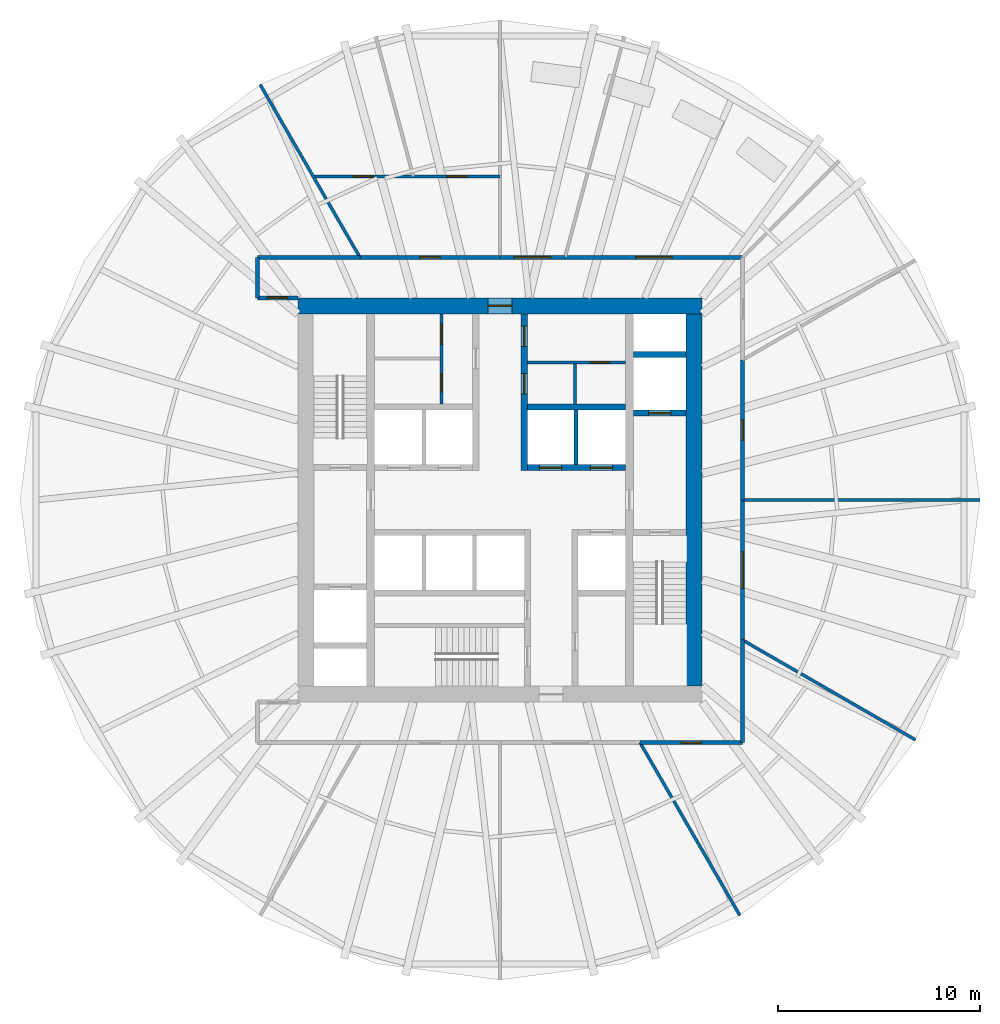
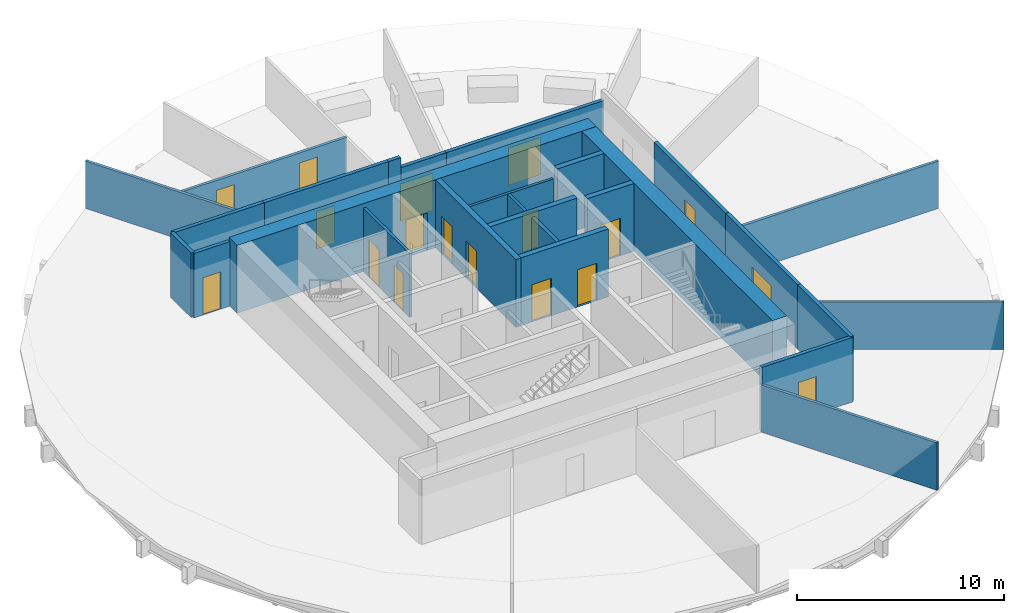
# One storey, part 4 of 7: 27 walls, 18 doors, 18 openings.
"""IFC4 building model written with IfcOpenShell, lengths in metres."""

from ifc_helpers import new_model, si_unit, direction, frame, frame_2d, origin, place, context, subcontext, project, spatial, rectangle, extrude, material, layer, layer_set, type_object, element, fill, save


model = new_model("IFC4")

# Units and contexts
model_context = context("Model", 3, precision=1e-05, world=origin(), true_north=direction((0.0, 1.0)))
body_context = subcontext(model_context, "Body", "Model", "MODEL_VIEW")
ifc_project = project(units=[si_unit("LENGTHUNIT", "METRE"), si_unit("AREAUNIT", "SQUARE_METRE"), si_unit("VOLUMEUNIT", "CUBIC_METRE"), si_unit("PLANEANGLEUNIT", "RADIAN"), si_unit("MASSUNIT", "GRAM", prefix="KILO")], contexts=[model_context])

# Site, building, storey
site_placement = place(None, origin())
site = spatial("IfcSite", under=ifc_project, at=site_placement, CompositionType="ELEMENT")
building_placement = place(site_placement, origin())
building = spatial("IfcBuilding", under=site, at=building_placement, Name="Golbaran Civic Tower", CompositionType="ELEMENT")
storey_placement = place(building_placement, frame((0.0, 0.0, 65.0)))
storey = spatial("IfcBuildingStorey", under=building, at=storey_placement, Name="L15", CompositionType="ELEMENT", Elevation=65.0)

# Wall, opening, door
ifc_material_1 = material(Name="Concrete block", Category="concrete")
ifc_layer_1 = layer(ifc_material_1, 0.14990234375, Name="Concrete block")
ifc_layer_set_1 = layer_set([ifc_layer_1], Name="Concrete block")
wall_type_1 = type_object("IfcWallType", Name="BLOCKWORK PARTITION 150", PredefinedType="PARTITIONING", material=ifc_layer_set_1)
wall_1_placement = place(storey_placement, frame((1.35009765625, 6.800048828125, 0.0), z_axis=(0.0, 0.0, 1.0), x_axis=(1.0, 0.0, 0.0)))
wall_1 = element("IfcWall", 1, at=wall_1_placement, inside=storey, type_object=wall_type_1, Name="Toilet block partition TN1 L15", PredefinedType="PARTITIONING", context=body_context, shape_type="SweptSolid", body=[
    extrude(rectangle(XDim=4.849853515625, YDim=0.14990234375, at=frame_2d((2.4248046875, 0.0))), origin(), (0.0, 0.0, 1.0), 3.75),
])
opening_1_placement = place(wall_1_placement, frame((3.14990234375, 0.0, 0.0)))
opening_1 = element("IfcOpeningElement", 2, at=opening_1_placement, cuts=wall_1, Name="Opening L15.CLN", PredefinedType="OPENING", context=body_context, shape_type="SweptSolid", body=[
    extrude(rectangle(XDim=0.89990234375, YDim=2.199951171875, at=frame_2d((0.449951171875, 1.10009765625))), frame((0.0, 0.0849609375, 0.0), z_axis=(0.0, -1.0, 0.0), x_axis=(1.0, 0.0, 0.0)), (0.0, 0.0, 1.0), 0.169921875),
])
ifc_material_2 = material(Name="Timber door set in steel frame", Category="steel")
door_type_1 = type_object("IfcDoorType", Name="RISER DOOR 900x2200", OperationType="SINGLE_SWING_LEFT", PredefinedType="DOOR", material=ifc_material_2)
door_1_placement = place(opening_1_placement, origin())
door_1 = element("IfcDoor", 3, at=door_1_placement, inside=storey, type_object=door_type_1, Name="Floor Store door", OperationType="SINGLE_SWING_RIGHT", OverallHeight=2.199951171875, OverallWidth=0.89990234375, PredefinedType="DOOR", context=body_context, shape_type="SweptSolid", body=[
    extrude(rectangle(XDim=0.89990234375, YDim=2.199951171875, at=frame_2d((0.449951171875, 1.10009765625))), frame((0.0, 0.02490234375, 0.0), z_axis=(0.0, -1.0, 0.0), x_axis=(1.0, 0.0, 0.0)), (0.0, 0.0, 1.0), 0.050048828125),
])
fill(opening_1, door_1)

# Wall
wall_2_placement = place(storey_placement, frame((3.699951171875, 4.75, 0.0), z_axis=(0.0, 0.0, 1.0), x_axis=(0.0, 1.0, 0.0)))
element("IfcWall", 4, at=wall_2_placement, inside=storey, type_object=wall_type_1, Name="Toilet block partition TN2 L15", PredefinedType="PARTITIONING", context=body_context, shape_type="SweptSolid", body=[
    extrude(rectangle(XDim=1.97509765625, YDim=0.14990234375, at=frame_2d((0.987548828125, 0.0))), origin(), (0.0, 0.0, 1.0), 3.75),
])

# Wall, opening, door
ifc_material_3 = material(Name="Concrete C50/60", Category="concrete")
ifc_layer_2 = layer(ifc_material_3, 0.800048828125, Name="Concrete C50/60")
ifc_layer_set_2 = layer_set([ifc_layer_2], Name="Concrete C50/60")
wall_type_2 = type_object("IfcWallType", Name="CORE WALL CONCRETE 800", PredefinedType="SOLIDWALL", material=ifc_layer_set_2)
wall_3_placement = place(storey_placement, frame((-10.0, 9.60009765625, 0.0), z_axis=(0.0, 0.0, 1.0), x_axis=(1.0, 0.0, 0.0)))
wall_3 = element("IfcWall", 5, at=wall_3_placement, inside=storey, type_object=wall_type_2, Name="Core wall CN L15", PredefinedType="SOLIDWALL", context=body_context, shape_type="SweptSolid", body=[
    extrude(rectangle(XDim=20.0, YDim=0.800048828125, at=frame_2d((10.0, 0.0))), origin(), (0.0, 0.0, 1.0), 4.0),
])
opening_2_placement = place(wall_3_placement, frame((9.39990234375, 0.0, 0.0)))
opening_2 = element("IfcOpeningElement", 6, at=opening_2_placement, cuts=wall_3, Name="Opening L15.CN", PredefinedType="OPENING", context=body_context, shape_type="SweptSolid", body=[
    extrude(rectangle(XDim=1.199951171875, YDim=2.199951171875, at=frame_2d((0.60009765625, 1.10009765625))), frame((0.0, 0.409912109375, 0.0), z_axis=(0.0, -1.0, 0.0), x_axis=(1.0, 0.0, 0.0)), (0.0, 0.0, 1.0), 0.820068359375),
])
door_type_2 = type_object("IfcDoorType", Name="CORE DOOR 1200x2200", OperationType="DOUBLE_DOOR_SINGLE_SWING", PredefinedType="DOOR", material=ifc_material_2)
door_2_placement = place(opening_2_placement, origin())
door_2 = element("IfcDoor", 7, at=door_2_placement, inside=storey, type_object=door_type_2, Name="Core door north", OperationType="DOUBLE_DOOR_SINGLE_SWING", OverallHeight=2.199951171875, OverallWidth=1.199951171875, PredefinedType="DOOR", context=body_context, shape_type="SweptSolid", body=[
    extrude(rectangle(XDim=1.199951171875, YDim=2.199951171875, at=frame_2d((0.60009765625, 1.10009765625))), frame((0.0, 0.02490234375, 0.0), z_axis=(0.0, -1.0, 0.0), x_axis=(1.0, 0.0, 0.0)), (0.0, 0.0, 1.0), 0.050048828125),
])
fill(opening_2, door_2)

# Wall
wall_4_placement = place(storey_placement, frame((9.60009765625, -9.199951171875, 0.0), z_axis=(0.0, 0.0, 1.0), x_axis=(0.0, 1.0, 0.0)))
element("IfcWall", 8, at=wall_4_placement, inside=storey, type_object=wall_type_2, Name="Core wall CE L15", PredefinedType="SOLIDWALL", context=body_context, shape_type="SweptSolid", body=[
    extrude(rectangle(XDim=18.39990234375, YDim=0.800048828125, at=frame_2d((9.199951171875, 0.0))), origin(), (0.0, 0.0, 1.0), 4.0),
])

# Wall, opening, door
ifc_material_4 = material(Name="Gypsum board on steel studs, fire-rated", Category="steel")
ifc_layer_3 = layer(ifc_material_4, 0.199951171875, Name="Gypsum board on steel studs, fire-rated")
ifc_layer_set_3 = layer_set([ifc_layer_3], Name="Gypsum board on steel studs, fire-rated")
wall_type_3 = type_object("IfcWallType", Name="CORRIDOR WALL 200", PredefinedType="PARTITIONING", material=ifc_layer_set_3)
wall_5_placement = place(storey_placement, frame((12.0, -6.92822265625, 0.0), z_axis=(0.0, 0.0, 1.0), x_axis=(0.0, 1.0, 0.0)))
wall_5 = element("IfcWall", 9, at=wall_5_placement, inside=storey, type_object=wall_type_3, Name="Corridor wall L15", PredefinedType="PARTITIONING", context=body_context, shape_type="SweptSolid", body=[
    extrude(rectangle(XDim=6.92822265625, YDim=0.199951171875, at=frame_2d((3.464111328125, 0.0))), origin(), (0.0, 0.0, 1.0), 3.800048828125),
])
opening_3_placement = place(wall_5_placement, frame((2.564208984375, 0.0, 0.0)))
opening_3 = element("IfcOpeningElement", 10, at=opening_3_placement, cuts=wall_5, Name="Opening L15.04", PredefinedType="OPENING", context=body_context, shape_type="SweptSolid", body=[
    extrude(rectangle(XDim=1.800048828125, YDim=2.199951171875, at=frame_2d((0.89990234375, 1.10009765625))), frame((0.0, 0.10986328125, 0.0), z_axis=(0.0, -1.0, 0.0), x_axis=(1.0, 0.0, 0.0)), (0.0, 0.0, 1.0), 0.219970703125),
])
door_type_3 = type_object("IfcDoorType", Name="OFFICE DOUBLE DOOR 1800x2200", OperationType="DOUBLE_DOOR_SINGLE_SWING", PredefinedType="DOOR", material=ifc_material_2)
door_3_placement = place(opening_3_placement, origin())
door_3 = element("IfcDoor", 11, at=door_3_placement, inside=storey, type_object=door_type_3, Name="Open Office door L15", OperationType="DOUBLE_DOOR_SINGLE_SWING", OverallHeight=2.199951171875, OverallWidth=1.800048828125, PredefinedType="DOOR", context=body_context, shape_type="SweptSolid", body=[
    extrude(rectangle(XDim=1.800048828125, YDim=2.199951171875, at=frame_2d((0.89990234375, 1.10009765625))), frame((0.0, 0.02490234375, 0.0), z_axis=(0.0, -1.0, 0.0), x_axis=(1.0, 0.0, 0.0)), (0.0, 0.0, 1.0), 0.050048828125),
])
fill(opening_3, door_3)

wall_6_placement = place(storey_placement, frame((12.0, 0.0, 0.0), z_axis=(0.0, 0.0, 1.0), x_axis=(0.0, 1.0, 0.0)))
wall_6 = element("IfcWall", 12, at=wall_6_placement, inside=storey, type_object=wall_type_3, Name="Corridor wall L15", PredefinedType="PARTITIONING", context=body_context, shape_type="SweptSolid", body=[
    extrude(rectangle(XDim=6.92822265625, YDim=0.199951171875, at=frame_2d((3.464111328125, 0.0))), origin(), (0.0, 0.0, 1.0), 3.800048828125),
])
opening_4_placement = place(wall_6_placement, frame((2.964111328125, 0.0, 0.0)))
opening_4 = element("IfcOpeningElement", 13, at=opening_4_placement, cuts=wall_6, Name="Opening L15.05", PredefinedType="OPENING", context=body_context, shape_type="SweptSolid", body=[
    extrude(rectangle(XDim=1.0, YDim=2.199951171875, at=frame_2d((0.5, 1.10009765625))), frame((0.0, 0.10986328125, 0.0), z_axis=(0.0, -1.0, 0.0), x_axis=(1.0, 0.0, 0.0)), (0.0, 0.0, 1.0), 0.219970703125),
])
door_type_4 = type_object("IfcDoorType", Name="OFFICE DOOR 1000x2200", OperationType="SINGLE_SWING_LEFT", PredefinedType="DOOR", material=ifc_material_2)
door_4_placement = place(opening_4_placement, origin())
door_4 = element("IfcDoor", 14, at=door_4_placement, inside=storey, type_object=door_type_4, Name="Project Room door L15", OperationType="SINGLE_SWING_LEFT", OverallHeight=2.199951171875, OverallWidth=1.0, PredefinedType="DOOR", context=body_context, shape_type="SweptSolid", body=[
    extrude(rectangle(XDim=1.0, YDim=2.199951171875, at=frame_2d((0.5, 1.10009765625))), frame((0.0, 0.02490234375, 0.0), z_axis=(0.0, -1.0, 0.0), x_axis=(1.0, 0.0, 0.0)), (0.0, 0.0, 1.0), 0.050048828125),
])
fill(opening_4, door_4)

wall_7_placement = place(storey_placement, frame((12.0, 12.0, 0.0), z_axis=(0.0, 0.0, 1.0), x_axis=(-1.0, 0.0, 0.0)))
wall_7 = element("IfcWall", 15, at=wall_7_placement, inside=storey, type_object=wall_type_3, Name="Corridor wall L15", PredefinedType="PARTITIONING", context=body_context, shape_type="SweptSolid", body=[
    extrude(rectangle(XDim=8.78466796875, YDim=0.199951171875, at=frame_2d((4.392333984375, 0.0))), origin(), (0.0, 0.0, 1.0), 3.199951171875),
])
opening_5_placement = place(wall_7_placement, frame((3.4921875, 0.0, 0.0)))
opening_5 = element("IfcOpeningElement", 16, at=opening_5_placement, cuts=wall_7, Name="Opening L15.07", PredefinedType="OPENING", context=body_context, shape_type="SweptSolid", body=[
    extrude(rectangle(XDim=1.800048828125, YDim=2.199951171875, at=frame_2d((0.89990234375, 1.10009765625))), frame((0.0, 0.10986328125, 0.0), z_axis=(0.0, -1.0, 0.0), x_axis=(1.0, 0.0, 0.0)), (0.0, 0.0, 1.0), 0.219970703125),
])
door_5_placement = place(opening_5_placement, origin())
door_5 = element("IfcDoor", 17, at=door_5_placement, inside=storey, type_object=door_type_3, Name="Sky Garden door L15", OperationType="DOUBLE_DOOR_SINGLE_SWING", OverallHeight=2.199951171875, OverallWidth=1.800048828125, PredefinedType="DOOR", context=body_context, shape_type="SweptSolid", body=[
    extrude(rectangle(XDim=1.800048828125, YDim=2.199951171875, at=frame_2d((0.89990234375, 1.10009765625))), frame((0.0, 0.02490234375, 0.0), z_axis=(0.0, -1.0, 0.0), x_axis=(1.0, 0.0, 0.0)), (0.0, 0.0, 1.0), 0.050048828125),
])
fill(opening_5, door_5)

wall_8_placement = place(storey_placement, frame((3.21533203125, 12.0, 0.0), z_axis=(0.0, 0.0, 1.0), x_axis=(-1.0, 0.0, 0.0)))
wall_8 = element("IfcWall", 18, at=wall_8_placement, inside=storey, type_object=wall_type_3, Name="Corridor wall L15", PredefinedType="PARTITIONING", context=body_context, shape_type="SweptSolid", body=[
    extrude(rectangle(XDim=2.527587890625, YDim=0.199951171875, at=frame_2d((1.263671875, 0.0))), origin(), (0.0, 0.0, 1.0), 3.199951171875),
])
opening_6_placement = place(wall_8_placement, frame((0.707763671875, 0.0, 0.0)))
opening_6 = element("IfcOpeningElement", 19, at=opening_6_placement, cuts=wall_8, Name="Opening L15.08", PredefinedType="OPENING", context=body_context, shape_type="SweptSolid", body=[
    extrude(rectangle(XDim=1.800048828125, YDim=2.199951171875, at=frame_2d((0.89990234375, 1.10009765625))), frame((0.0, 0.10986328125, 0.0), z_axis=(0.0, -1.0, 0.0), x_axis=(1.0, 0.0, 0.0)), (0.0, 0.0, 1.0), 0.219970703125),
])
door_6_placement = place(opening_6_placement, origin())
door_6 = element("IfcDoor", 20, at=door_6_placement, inside=storey, type_object=door_type_3, Name="Staff Lounge door L15", OperationType="DOUBLE_DOOR_SINGLE_SWING", OverallHeight=2.199951171875, OverallWidth=1.800048828125, PredefinedType="DOOR", context=body_context, shape_type="SweptSolid", body=[
    extrude(rectangle(XDim=1.800048828125, YDim=2.199951171875, at=frame_2d((0.89990234375, 1.10009765625))), frame((0.0, 0.02490234375, 0.0), z_axis=(0.0, -1.0, 0.0), x_axis=(1.0, 0.0, 0.0)), (0.0, 0.0, 1.0), 0.050048828125),
])
fill(opening_6, door_6)

# Wall
wall_9_placement = place(storey_placement, frame((0.687744140625, 12.0, 0.0), z_axis=(0.0, 0.0, 1.0), x_axis=(-1.0, 0.0, 0.0)))
element("IfcWall", 21, at=wall_9_placement, inside=storey, type_object=wall_type_3, Name="Corridor wall L15 (part 2)", PredefinedType="PARTITIONING", context=body_context, shape_type="SweptSolid", body=[
    extrude(rectangle(XDim=0.687744140625, YDim=0.199951171875, at=frame_2d((0.34375, 0.0))), origin(), (0.0, 0.0, 1.0), 3.800048828125),
])

# Wall, opening, door
wall_10_placement = place(storey_placement, frame((0.0, 12.0, 0.0), z_axis=(0.0, 0.0, 1.0), x_axis=(-1.0, 0.0, 0.0)))
wall_10 = element("IfcWall", 22, at=wall_10_placement, inside=storey, type_object=wall_type_3, Name="Corridor wall L15", PredefinedType="PARTITIONING", context=body_context, shape_type="SweptSolid", body=[
    extrude(rectangle(XDim=6.92822265625, YDim=0.199951171875, at=frame_2d((3.464111328125, 0.0))), origin(), (0.0, 0.0, 1.0), 3.800048828125),
])
opening_7_placement = place(wall_10_placement, frame((2.964111328125, 0.0, 0.0)))
opening_7 = element("IfcOpeningElement", 23, at=opening_7_placement, cuts=wall_10, Name="Opening L15.09", PredefinedType="OPENING", context=body_context, shape_type="SweptSolid", body=[
    extrude(rectangle(XDim=1.0, YDim=2.199951171875, at=frame_2d((0.5, 1.10009765625))), frame((0.0, 0.10986328125, 0.0), z_axis=(0.0, -1.0, 0.0), x_axis=(1.0, 0.0, 0.0)), (0.0, 0.0, 1.0), 0.219970703125),
])
door_7_placement = place(opening_7_placement, origin())
door_7 = element("IfcDoor", 24, at=door_7_placement, inside=storey, type_object=door_type_4, Name="Secretariat door L15", OperationType="SINGLE_SWING_RIGHT", OverallHeight=2.199951171875, OverallWidth=1.0, PredefinedType="DOOR", context=body_context, shape_type="SweptSolid", body=[
    extrude(rectangle(XDim=1.0, YDim=2.199951171875, at=frame_2d((0.5, 1.10009765625))), frame((0.0, 0.02490234375, 0.0), z_axis=(0.0, -1.0, 0.0), x_axis=(1.0, 0.0, 0.0)), (0.0, 0.0, 1.0), 0.050048828125),
])
fill(opening_7, door_7)

# Walls
wall_11_placement = place(storey_placement, frame((-6.92822265625, 12.0, 0.0), z_axis=(0.0, 0.0, 1.0), x_axis=(-1.0, 0.0, 0.0)))
element("IfcWall", 25, at=wall_11_placement, inside=storey, type_object=wall_type_3, Name="Corridor wall L15", PredefinedType="PARTITIONING", context=body_context, shape_type="SweptSolid", body=[
    extrude(rectangle(XDim=5.07177734375, YDim=0.199951171875, at=frame_2d((2.535888671875, 0.0))), origin(), (0.0, 0.0, 1.0), 3.800048828125),
])
wall_12_placement = place(storey_placement, frame((-12.0, 12.0, 0.0), z_axis=(0.0, 0.0, 1.0), x_axis=(0.0, -1.0, 0.0)))
element("IfcWall", 26, at=wall_12_placement, inside=storey, type_object=wall_type_3, Name="Corridor wall L15", PredefinedType="PARTITIONING", context=body_context, shape_type="SweptSolid", body=[
    extrude(rectangle(XDim=2.0, YDim=0.199951171875, at=frame_2d((1.0, 0.0))), origin(), (0.0, 0.0, 1.0), 3.800048828125),
])

# Wall, opening, door
wall_13_placement = place(storey_placement, frame((6.92822265625, -12.0, 0.0), z_axis=(0.0, 0.0, 1.0), x_axis=(1.0, 0.0, 0.0)))
wall_13 = element("IfcWall", 27, at=wall_13_placement, inside=storey, type_object=wall_type_3, Name="Corridor wall L15", PredefinedType="PARTITIONING", context=body_context, shape_type="SweptSolid", body=[
    extrude(rectangle(XDim=5.07177734375, YDim=0.199951171875, at=frame_2d((2.535888671875, 0.0))), origin(), (0.0, 0.0, 1.0), 3.800048828125),
])
opening_8_placement = place(wall_13_placement, frame((2.035888671875, 0.0, 0.0)))
opening_8 = element("IfcOpeningElement", 28, at=opening_8_placement, cuts=wall_13, Name="Opening L15.12", PredefinedType="OPENING", context=body_context, shape_type="SweptSolid", body=[
    extrude(rectangle(XDim=1.0, YDim=2.199951171875, at=frame_2d((0.5, 1.10009765625))), frame((0.0, 0.10986328125, 0.0), z_axis=(0.0, -1.0, 0.0), x_axis=(1.0, 0.0, 0.0)), (0.0, 0.0, 1.0), 0.219970703125),
])
door_8_placement = place(opening_8_placement, origin())
door_8 = element("IfcDoor", 29, at=door_8_placement, inside=storey, type_object=door_type_4, Name="Quiet Room door L15", OperationType="SINGLE_SWING_LEFT", OverallHeight=2.199951171875, OverallWidth=1.0, PredefinedType="DOOR", context=body_context, shape_type="SweptSolid", body=[
    extrude(rectangle(XDim=1.0, YDim=2.199951171875, at=frame_2d((0.5, 1.10009765625))), frame((0.0, 0.02490234375, 0.0), z_axis=(0.0, -1.0, 0.0), x_axis=(1.0, 0.0, 0.0)), (0.0, 0.0, 1.0), 0.050048828125),
])
fill(opening_8, door_8)

# Wall
wall_14_placement = place(storey_placement, frame((12.0, -12.0, 0.0), z_axis=(0.0, 0.0, 1.0), x_axis=(0.0, 1.0, 0.0)))
element("IfcWall", 30, at=wall_14_placement, inside=storey, type_object=wall_type_3, Name="Corridor wall L15", PredefinedType="PARTITIONING", context=body_context, shape_type="SweptSolid", body=[
    extrude(rectangle(XDim=5.07177734375, YDim=0.199951171875, at=frame_2d((2.535888671875, 0.0))), origin(), (0.0, 0.0, 1.0), 3.800048828125),
])

# Wall, opening, door
wall_15_placement = place(storey_placement, frame((-10.0, 10.0, 0.0), z_axis=(0.0, 0.0, 1.0), x_axis=(-1.0, 0.0, 0.0)))
wall_15 = element("IfcWall", 31, at=wall_15_placement, inside=storey, type_object=wall_type_3, Name="Corridor end wall L15", PredefinedType="PARTITIONING", context=body_context, shape_type="SweptSolid", body=[
    extrude(rectangle(XDim=2.0, YDim=0.199951171875, at=frame_2d((1.0, 0.0))), origin(), (0.0, 0.0, 1.0), 3.800048828125),
])
opening_9_placement = place(wall_15_placement, frame((0.5, 0.0, 0.0)))
opening_9 = element("IfcOpeningElement", 32, at=opening_9_placement, cuts=wall_15, Name="Opening L15.15", PredefinedType="OPENING", context=body_context, shape_type="SweptSolid", body=[
    extrude(rectangle(XDim=1.0, YDim=2.199951171875, at=frame_2d((0.5, 1.10009765625))), frame((0.0, 0.10986328125, 0.0), z_axis=(0.0, -1.0, 0.0), x_axis=(1.0, 0.0, 0.0)), (0.0, 0.0, 1.0), 0.219970703125),
])
door_9_placement = place(opening_9_placement, origin())
door_9 = element("IfcDoor", 33, at=door_9_placement, inside=storey, type_object=door_type_4, Name="Open Office door L15", OperationType="SINGLE_SWING_RIGHT", OverallHeight=2.199951171875, OverallWidth=1.0, PredefinedType="DOOR", context=body_context, shape_type="SweptSolid", body=[
    extrude(rectangle(XDim=1.0, YDim=2.199951171875, at=frame_2d((0.5, 1.10009765625))), frame((0.0, 0.02490234375, 0.0), z_axis=(0.0, -1.0, 0.0), x_axis=(1.0, 0.0, 0.0)), (0.0, 0.0, 1.0), 0.050048828125),
])
fill(opening_9, door_9)

# Walls
ifc_layer_4 = layer(ifc_material_1, 0.199951171875, Name="Concrete block")
ifc_layer_set_4 = layer_set([ifc_layer_4], Name="Concrete block")
wall_type_4 = type_object("IfcWallType", Name="LIFT SEPARATOR WALL 200", PredefinedType="SOLIDWALL", material=ifc_layer_set_4)
wall_16_placement = place(storey_placement, frame((3.75, 1.75, 0.0), z_axis=(0.0, 0.0, 1.0), x_axis=(0.0, 1.0, 0.0)))
element("IfcWall", 34, at=wall_16_placement, inside=storey, type_object=wall_type_4, Name="Core partition SNE L15", PredefinedType="SOLIDWALL", context=body_context, shape_type="SweptSolid", body=[
    extrude(rectangle(XDim=2.699951171875, YDim=0.199951171875, at=frame_2d((1.35009765625, 0.0))), origin(), (0.0, 0.0, 1.0), 3.75),
])
ifc_material_5 = material(Name="Gypsum board on steel studs", Category="steel")
ifc_layer_5 = layer(ifc_material_5, 0.14990234375, Name="Gypsum board on steel studs")
ifc_layer_set_5 = layer_set([ifc_layer_5], Name="Gypsum board on steel studs")
wall_type_5 = type_object("IfcWallType", Name="OFFICE PARTITION 150", PredefinedType="PARTITIONING", material=ifc_layer_set_5)
wall_17_placement = place(storey_placement, frame((12.0, -6.92822265625, 0.0), z_axis=(0.0, 0.0, 1.0), x_axis=(0.866031940362, -0.499988678145, 0.0)))
element("IfcWall", 35, at=wall_17_placement, inside=storey, type_object=wall_type_5, Name="Partition 330 L15", PredefinedType="PARTITIONING", context=body_context, shape_type="SweptSolid", body=[
    extrude(rectangle(XDim=9.869873046875, YDim=0.14990234375, at=frame_2d((4.93505859375, 0.0))), origin(), (0.0, 0.0, 1.0), 2.7900390625),
])
wall_18_placement = place(storey_placement, frame((12.0, 0.0, 0.0), z_axis=(0.0, 0.0, 1.0), x_axis=(1.0, 0.0, 0.0)))
element("IfcWall", 36, at=wall_18_placement, inside=storey, type_object=wall_type_5, Name="Partition 0 L15", PredefinedType="PARTITIONING", context=body_context, shape_type="SweptSolid", body=[
    extrude(rectangle(XDim=11.726318359375, YDim=0.14990234375, at=frame_2d((5.86328125, 0.0))), origin(), (0.0, 0.0, 1.0), 2.7900390625),
])
for number, where, z_axis, x_axis, name in (
    (37, (-6.92822265625, 12.0, 0.0), (0.0, 0.0, 1.0), (-0.499988678145, 0.866031940362, 0.0), "Partition 120 L15"),
    (38, (6.92822265625, -12.0, 0.0), (0.0, 0.0, 1.0), (0.499988678145, -0.866031940362, 0.0), "Partition 300 L15"),
):
    element("IfcWall", number, at=place(storey_placement, frame(where, z_axis=z_axis, x_axis=x_axis)), inside=storey, type_object=wall_type_5, Name=name, PredefinedType="PARTITIONING", context=body_context, shape_type="SweptSolid", body=[
        extrude(rectangle(XDim=9.869873046875, YDim=0.14990234375, at=frame_2d((4.93505859375, 0.0))), origin(), (0.0, 0.0, 1.0), 2.7900390625),
    ])

# Wall, openings, doors
wall_19_placement = place(storey_placement, frame((0.0, 16.0, 0.0), z_axis=(0.0, 0.0, 1.0), x_axis=(-1.0, 0.0, 0.0)))
wall_19 = element("IfcWall", 39, at=wall_19_placement, inside=storey, type_object=wall_type_5, Name="Suite partition L15", PredefinedType="PARTITIONING", context=body_context, shape_type="SweptSolid", body=[
    extrude(rectangle(XDim=9.237548828125, YDim=0.14990234375, at=frame_2d((4.61865234375, 0.0))), origin(), (0.0, 0.0, 1.0), 2.7900390625),
])
opening_10_placement = place(wall_19_placement, frame((1.6435546875, 0.0, 0.0)))
opening_10 = element("IfcOpeningElement", 40, at=opening_10_placement, cuts=wall_19, Name="Opening L15.02", PredefinedType="OPENING", context=body_context, shape_type="SweptSolid", body=[
    extrude(rectangle(XDim=1.0, YDim=2.199951171875, at=frame_2d((0.5, 1.10009765625))), frame((0.0, 0.0849609375, 0.0), z_axis=(0.0, -1.0, 0.0), x_axis=(1.0, 0.0, 0.0)), (0.0, 0.0, 1.0), 0.169921875),
])
opening_11_placement = place(wall_19_placement, frame((6.262451171875, 0.0, 0.0)))
opening_11 = element("IfcOpeningElement", 41, at=opening_11_placement, cuts=wall_19, Name="Opening L15.03", PredefinedType="OPENING", context=body_context, shape_type="SweptSolid", body=[
    extrude(rectangle(XDim=1.0, YDim=2.199951171875, at=frame_2d((0.5, 1.10009765625))), frame((0.0, 0.0849609375, 0.0), z_axis=(0.0, -1.0, 0.0), x_axis=(1.0, 0.0, 0.0)), (0.0, 0.0, 1.0), 0.169921875),
])
door_10_placement = place(opening_10_placement, origin())
door_10 = element("IfcDoor", 42, at=door_10_placement, inside=storey, type_object=door_type_4, Name="Director's Office door L15", OperationType="SINGLE_SWING_LEFT", OverallHeight=2.199951171875, OverallWidth=1.0, PredefinedType="DOOR", context=body_context, shape_type="SweptSolid", body=[
    extrude(rectangle(XDim=1.0, YDim=2.199951171875, at=frame_2d((0.5, 1.10009765625))), frame((0.0, 0.02490234375, 0.0), z_axis=(0.0, -1.0, 0.0), x_axis=(1.0, 0.0, 0.0)), (0.0, 0.0, 1.0), 0.050048828125),
])
fill(opening_10, door_10)
door_11_placement = place(opening_11_placement, origin())
door_11 = element("IfcDoor", 43, at=door_11_placement, inside=storey, type_object=door_type_4, Name="Office door L15", OperationType="SINGLE_SWING_RIGHT", OverallHeight=2.199951171875, OverallWidth=1.0, PredefinedType="DOOR", context=body_context, shape_type="SweptSolid", body=[
    extrude(rectangle(XDim=1.0, YDim=2.199951171875, at=frame_2d((0.5, 1.10009765625))), frame((0.0, 0.02490234375, 0.0), z_axis=(0.0, -1.0, 0.0), x_axis=(1.0, 0.0, 0.0)), (0.0, 0.0, 1.0), 0.050048828125),
])
fill(opening_11, door_11)

ifc_layer_6 = layer(ifc_material_3, 0.300048828125, Name="Concrete C50/60")
ifc_layer_set_6 = layer_set([ifc_layer_6], Name="Concrete C50/60")
wall_type_6 = type_object("IfcWallType", Name="SHAFT WALL CONCRETE 300", PredefinedType="SOLIDWALL", material=ifc_layer_set_6)
wall_20_placement = place(storey_placement, frame((1.35009765625, 1.60009765625, 0.0), z_axis=(0.0, 0.0, 1.0), x_axis=(1.0, 0.0, 0.0)))
wall_20 = element("IfcWall", 44, at=wall_20_placement, inside=storey, type_object=wall_type_6, Name="Core wall FNE L15", PredefinedType="SOLIDWALL", context=body_context, shape_type="SweptSolid", body=[
    extrude(rectangle(XDim=4.849853515625, YDim=0.300048828125, at=frame_2d((2.4248046875, 0.0))), origin(), (0.0, 0.0, 1.0), 4.0),
])
opening_12_placement = place(wall_20_placement, frame((0.60009765625, 0.0, 0.0)))
opening_12 = element("IfcOpeningElement", 45, at=opening_12_placement, cuts=wall_20, Name="Opening L15.LD-Z3L", PredefinedType="OPENING", context=body_context, shape_type="SweptSolid", body=[
    extrude(rectangle(XDim=1.10009765625, YDim=2.199951171875, at=frame_2d((0.550048828125, 1.10009765625))), frame((0.0, 0.159912109375, 0.0), z_axis=(0.0, -1.0, 0.0), x_axis=(1.0, 0.0, 0.0)), (0.0, 0.0, 1.0), 0.320068359375),
])
opening_13_placement = place(wall_20_placement, frame((3.125, 0.0, 0.0)))
opening_13 = element("IfcOpeningElement", 46, at=opening_13_placement, cuts=wall_20, Name="Opening L15.LD-Z4L", PredefinedType="OPENING", context=body_context, shape_type="SweptSolid", body=[
    extrude(rectangle(XDim=1.10009765625, YDim=2.199951171875, at=frame_2d((0.550048828125, 1.10009765625))), frame((0.0, 0.159912109375, 0.0), z_axis=(0.0, -1.0, 0.0), x_axis=(1.0, 0.0, 0.0)), (0.0, 0.0, 1.0), 0.320068359375),
])
ifc_material_6 = material(Name="Stainless steel", Category="steel")
door_type_5 = type_object("IfcDoorType", Name="LIFT LANDING DOOR 1100x2200", OperationType="SLIDING_TO_LEFT", PredefinedType="DOOR", material=ifc_material_6)
door_12_placement = place(opening_12_placement, origin())
door_12 = element("IfcDoor", 47, at=door_12_placement, inside=storey, type_object=door_type_5, Name="Lift landing door Z3L", OperationType="SLIDING_TO_LEFT", OverallHeight=2.199951171875, OverallWidth=1.10009765625, PredefinedType="DOOR", context=body_context, shape_type="SweptSolid", body=[
    extrude(rectangle(XDim=1.10009765625, YDim=2.199951171875, at=frame_2d((0.550048828125, 1.10009765625))), frame((0.0, 0.02490234375, 0.0), z_axis=(0.0, -1.0, 0.0), x_axis=(1.0, 0.0, 0.0)), (0.0, 0.0, 1.0), 0.050048828125),
])
fill(opening_12, door_12)
door_13_placement = place(opening_13_placement, origin())
door_13 = element("IfcDoor", 48, at=door_13_placement, inside=storey, type_object=door_type_5, Name="Lift landing door Z4L", OperationType="SLIDING_TO_LEFT", OverallHeight=2.199951171875, OverallWidth=1.10009765625, PredefinedType="DOOR", context=body_context, shape_type="SweptSolid", body=[
    extrude(rectangle(XDim=1.10009765625, YDim=2.199951171875, at=frame_2d((0.550048828125, 1.10009765625))), frame((0.0, 0.02490234375, 0.0), z_axis=(0.0, -1.0, 0.0), x_axis=(1.0, 0.0, 0.0)), (0.0, 0.0, 1.0), 0.050048828125),
])
fill(opening_13, door_13)

# Wall
wall_21_placement = place(storey_placement, frame((1.35009765625, 4.60009765625, 0.0), z_axis=(0.0, 0.0, 1.0), x_axis=(1.0, 0.0, 0.0)))
element("IfcWall", 49, at=wall_21_placement, inside=storey, type_object=wall_type_6, Name="Core wall BNE L15", PredefinedType="SOLIDWALL", context=body_context, shape_type="SweptSolid", body=[
    extrude(rectangle(XDim=4.849853515625, YDim=0.300048828125, at=frame_2d((2.4248046875, 0.0))), origin(), (0.0, 0.0, 1.0), 4.0),
])

# Wall, openings, doors
wall_22_placement = place(storey_placement, frame((1.199951171875, 1.449951171875, 0.0), z_axis=(0.0, 0.0, 1.0), x_axis=(0.0, 1.0, 0.0)))
wall_22 = element("IfcWall", 50, at=wall_22_placement, inside=storey, type_object=wall_type_6, Name="Core wall PNE L15", PredefinedType="SOLIDWALL", context=body_context, shape_type="SweptSolid", body=[
    extrude(rectangle(XDim=7.75, YDim=0.300048828125, at=frame_2d((3.875, 0.0))), origin(), (0.0, 0.0, 1.0), 4.0),
])
opening_14_placement = place(wall_22_placement, frame((3.800048828125, 0.0, 0.0)))
opening_14 = element("IfcOpeningElement", 51, at=opening_14_placement, cuts=wall_22, Name="Opening L15.WCA", PredefinedType="OPENING", context=body_context, shape_type="SweptSolid", body=[
    extrude(rectangle(XDim=1.0, YDim=2.199951171875, at=frame_2d((0.5, 1.10009765625))), frame((0.0, 0.159912109375, 0.0), z_axis=(0.0, -1.0, 0.0), x_axis=(1.0, 0.0, 0.0)), (0.0, 0.0, 1.0), 0.320068359375),
])
opening_15_placement = place(wall_22_placement, frame((6.14990234375, 0.0, 0.0)))
opening_15 = element("IfcOpeningElement", 52, at=opening_15_placement, cuts=wall_22, Name="Opening L15.WCF", PredefinedType="OPENING", context=body_context, shape_type="SweptSolid", body=[
    extrude(rectangle(XDim=1.0, YDim=2.199951171875, at=frame_2d((0.5, 1.10009765625))), frame((0.0, 0.159912109375, 0.0), z_axis=(0.0, -1.0, 0.0), x_axis=(1.0, 0.0, 0.0)), (0.0, 0.0, 1.0), 0.320068359375),
])
door_type_6 = type_object("IfcDoorType", Name="TOILET DOOR 1000x2200", OperationType="SINGLE_SWING_LEFT", PredefinedType="DOOR", material=ifc_material_2)
door_14_placement = place(opening_14_placement, origin())
door_14 = element("IfcDoor", 53, at=door_14_placement, inside=storey, type_object=door_type_6, Name="Accessible WC door", OperationType="SINGLE_SWING_RIGHT", OverallHeight=2.199951171875, OverallWidth=1.0, PredefinedType="DOOR", context=body_context, shape_type="SweptSolid", body=[
    extrude(rectangle(XDim=1.0, YDim=2.199951171875, at=frame_2d((0.5, 1.10009765625))), frame((0.0, 0.02490234375, 0.0), z_axis=(0.0, -1.0, 0.0), x_axis=(1.0, 0.0, 0.0)), (0.0, 0.0, 1.0), 0.050048828125),
])
fill(opening_14, door_14)
door_15_placement = place(opening_15_placement, origin())
door_15 = element("IfcDoor", 54, at=door_15_placement, inside=storey, type_object=door_type_6, Name="North-east toilet block door", OperationType="SINGLE_SWING_RIGHT", OverallHeight=2.199951171875, OverallWidth=1.0, PredefinedType="DOOR", context=body_context, shape_type="SweptSolid", body=[
    extrude(rectangle(XDim=1.0, YDim=2.199951171875, at=frame_2d((0.5, 1.10009765625))), frame((0.0, 0.02490234375, 0.0), z_axis=(0.0, -1.0, 0.0), x_axis=(1.0, 0.0, 0.0)), (0.0, 0.0, 1.0), 0.050048828125),
])
fill(opening_15, door_15)

# Wall, opening, door
wall_23_placement = place(storey_placement, frame((6.60009765625, 4.300048828125, 0.0), z_axis=(0.0, 0.0, 1.0), x_axis=(1.0, 0.0, 0.0)))
wall_23 = element("IfcWall", 55, at=wall_23_placement, inside=storey, type_object=wall_type_6, Name="Core wall XE2 L15", PredefinedType="SOLIDWALL", context=body_context, shape_type="SweptSolid", body=[
    extrude(rectangle(XDim=2.599853515625, YDim=0.300048828125, at=frame_2d((1.2998046875, 0.0))), origin(), (0.0, 0.0, 1.0), 4.0),
])
opening_16_placement = place(wall_23_placement, frame((0.75, 0.0, 0.0)))
opening_16 = element("IfcOpeningElement", 56, at=opening_16_placement, cuts=wall_23, Name="Opening L15.LD-F2", PredefinedType="OPENING", context=body_context, shape_type="SweptSolid", body=[
    extrude(rectangle(XDim=1.10009765625, YDim=2.199951171875, at=frame_2d((0.550048828125, 1.10009765625))), frame((0.0, 0.159912109375, 0.0), z_axis=(0.0, -1.0, 0.0), x_axis=(1.0, 0.0, 0.0)), (0.0, 0.0, 1.0), 0.320068359375),
])
door_16_placement = place(opening_16_placement, origin())
door_16 = element("IfcDoor", 57, at=door_16_placement, inside=storey, type_object=door_type_5, Name="Lift landing door F2", OperationType="SLIDING_TO_LEFT", OverallHeight=2.199951171875, OverallWidth=1.10009765625, PredefinedType="DOOR", context=body_context, shape_type="SweptSolid", body=[
    extrude(rectangle(XDim=1.10009765625, YDim=2.199951171875, at=frame_2d((0.550048828125, 1.10009765625))), frame((0.0, 0.02490234375, 0.0), z_axis=(0.0, -1.0, 0.0), x_axis=(1.0, 0.0, 0.0)), (0.0, 0.0, 1.0), 0.050048828125),
])
fill(opening_16, door_16)

# Wall
wall_24_placement = place(storey_placement, frame((6.60009765625, 7.199951171875, 0.0), z_axis=(0.0, 0.0, 1.0), x_axis=(1.0, 0.0, 0.0)))
element("IfcWall", 58, at=wall_24_placement, inside=storey, type_object=wall_type_6, Name="Core wall XE3 L15", PredefinedType="SOLIDWALL", context=body_context, shape_type="SweptSolid", body=[
    extrude(rectangle(XDim=2.599853515625, YDim=0.300048828125, at=frame_2d((1.2998046875, 0.0))), origin(), (0.0, 0.0, 1.0), 4.0),
])

# Wall, openings, doors
ifc_material_7 = material(Name="Moisture-resistant gypsum board on steel studs", Category="steel")
ifc_layer_7 = layer(ifc_material_7, 0.14990234375, Name="Moisture-resistant gypsum board on steel studs")
ifc_layer_set_7 = layer_set([ifc_layer_7], Name="Moisture-resistant gypsum board on steel studs")
wall_type_7 = type_object("IfcWallType", Name="TOILET BLOCK PARTITION 150", PredefinedType="PARTITIONING", material=ifc_layer_set_7)
wall_25_placement = place(storey_placement, frame((-2.89990234375, 4.75, 0.0), z_axis=(0.0, 0.0, 1.0), x_axis=(0.0, 1.0, 0.0)))
wall_25 = element("IfcWall", 59, at=wall_25_placement, inside=storey, type_object=wall_type_7, Name="Toilet block partition MWL L15", PredefinedType="PARTITIONING", context=body_context, shape_type="SweptSolid", body=[
    extrude(rectangle(XDim=4.449951171875, YDim=0.14990234375, at=frame_2d((2.22509765625, 0.0))), origin(), (0.0, 0.0, 1.0), 3.75),
])
opening_17_placement = place(wall_25_placement, frame((2.949951171875, 0.0, 0.0)))
opening_17 = element("IfcOpeningElement", 60, at=opening_17_placement, cuts=wall_25, Name="Opening L15.13", PredefinedType="OPENING", context=body_context, shape_type="SweptSolid", body=[
    extrude(rectangle(XDim=1.0, YDim=2.199951171875, at=frame_2d((0.5, 1.10009765625))), frame((0.0, 0.0849609375, 0.0), z_axis=(0.0, -1.0, 0.0), x_axis=(1.0, 0.0, 0.0)), (0.0, 0.0, 1.0), 0.169921875),
])
opening_18_placement = place(wall_25_placement, frame((0.60009765625, 0.0, 0.0)))
opening_18 = element("IfcOpeningElement", 61, at=opening_18_placement, cuts=wall_25, Name="Opening L15.01", PredefinedType="OPENING", context=body_context, shape_type="SweptSolid", body=[
    extrude(rectangle(XDim=0.89990234375, YDim=2.199951171875, at=frame_2d((0.449951171875, 1.10009765625))), frame((0.0, 0.0849609375, 0.0), z_axis=(0.0, -1.0, 0.0), x_axis=(1.0, 0.0, 0.0)), (0.0, 0.0, 1.0), 0.169921875),
])
door_17_placement = place(opening_18_placement, origin())
door_17 = element("IfcDoor", 62, at=door_17_placement, inside=storey, type_object=door_type_1, Name="IT and comms room door", OperationType="SINGLE_SWING_LEFT", OverallHeight=2.199951171875, OverallWidth=0.89990234375, PredefinedType="DOOR", context=body_context, shape_type="SweptSolid", body=[
    extrude(rectangle(XDim=0.89990234375, YDim=2.199951171875, at=frame_2d((0.449951171875, 1.10009765625))), frame((0.0, 0.02490234375, 0.0), z_axis=(0.0, -1.0, 0.0), x_axis=(1.0, 0.0, 0.0)), (0.0, 0.0, 1.0), 0.050048828125),
])
fill(opening_18, door_17)
door_18_placement = place(opening_17_placement, origin())
door_18 = element("IfcDoor", 63, at=door_18_placement, inside=storey, type_object=door_type_6, Name="Female WC door", OperationType="SINGLE_SWING_RIGHT", OverallHeight=2.199951171875, OverallWidth=1.0, PredefinedType="DOOR", context=body_context, shape_type="SweptSolid", body=[
    extrude(rectangle(XDim=1.0, YDim=2.199951171875, at=frame_2d((0.5, 1.10009765625))), frame((0.0, 0.02490234375, 0.0), z_axis=(0.0, -1.0, 0.0), x_axis=(1.0, 0.0, 0.0)), (0.0, 0.0, 1.0), 0.050048828125),
])
fill(opening_17, door_18)

save(model, "model.ifc")
